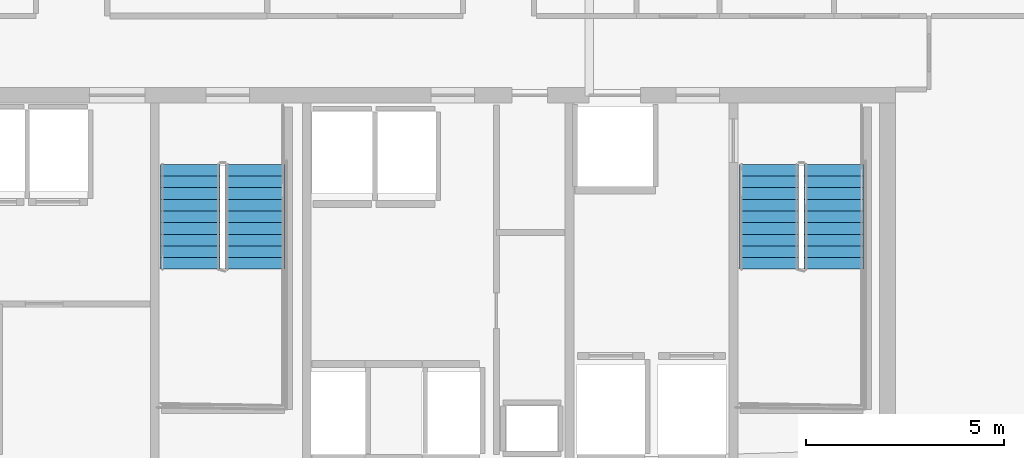
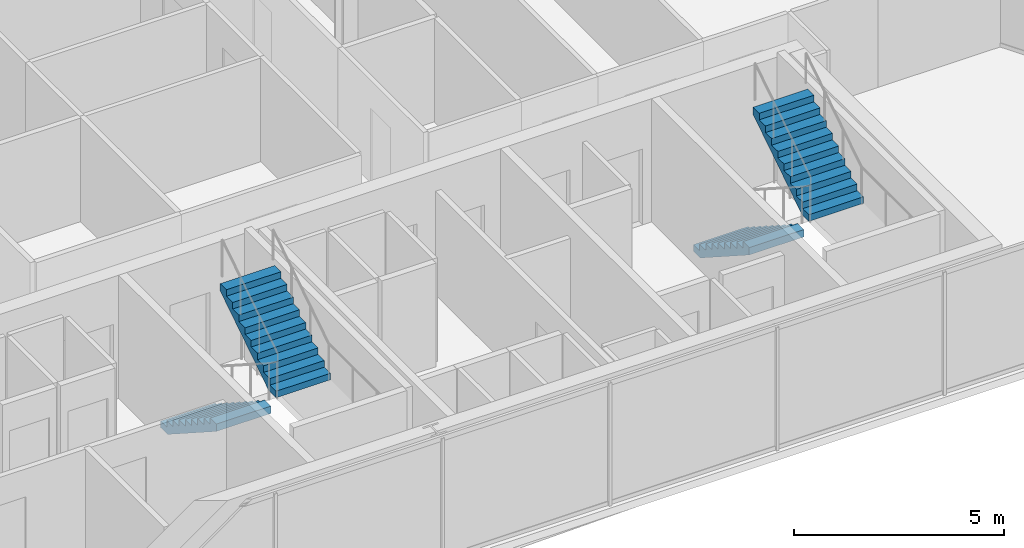
# One storey, part 30 of 33: 4 stair flights, 2 elements without a shape of their own.
"""IFC4 building model written with IfcOpenShell, lengths in metres."""

from ifc_helpers import new_model, si_unit, direction, frame, origin, place, context, subcontext, project, spatial, polyline, outline, extrude, material, type_object, element, aggregate, save


model = new_model("IFC4")

# Units and contexts
model_context = context("Model", 3, precision=1e-05, world=origin(), true_north=direction((0.0, 1.0)))
body_context = subcontext(model_context, "Body", "Model", "MODEL_VIEW")
ifc_project = project(units=[si_unit("LENGTHUNIT", "METRE"), si_unit("AREAUNIT", "SQUARE_METRE"), si_unit("VOLUMEUNIT", "CUBIC_METRE"), si_unit("PLANEANGLEUNIT", "RADIAN"), si_unit("MASSUNIT", "GRAM", prefix="KILO")], contexts=[model_context])

# Site, building, storey
site_placement = place(None, origin())
site = spatial("IfcSite", under=ifc_project, at=site_placement, CompositionType="ELEMENT")
building_placement = place(site_placement, origin())
building = spatial("IfcBuilding", under=site, at=building_placement, Name="Ndaravel Arena Tower", CompositionType="ELEMENT")
storey_placement = place(building_placement, frame((0.0, 0.0, 168.800048828125)))
storey = spatial("IfcBuildingStorey", under=building, at=storey_placement, Name="L40", CompositionType="ELEMENT", Elevation=168.800048828125)

# Stair, stair flights
ifc_material_1 = material(Name="Concrete C40/50", Category="concrete")
stair_type = type_object("IfcStairType", Name="STAIR-CORE-HT", PredefinedType="HALF_TURN_STAIR", material=ifc_material_1)
stair_1_placement = place(storey_placement, origin())
stair_1 = element("IfcStair", 1, at=stair_1_placement, inside=storey, type_object=stair_type, Name="L40 ST-2", PredefinedType="HALF_TURN_STAIR")
ifc_material_2 = material(Name="Concrete C40/50", Category="concrete")
stair_flight_type = type_object("IfcStairFlightType", Name="SFLIGHT-CORE-1680", PredefinedType="STRAIGHT", material=ifc_material_2)
stair_flight_1_placement = place(storey_placement, frame((39.699951171875, 13.25, 0.0), z_axis=(0.0, 0.0, 1.0), x_axis=(0.0, -1.0, 0.0)))
stair_flight_1 = element("IfcStairFlight", 2, at=stair_flight_1_placement, type_object=stair_flight_type, Name="ST-2 flight 1", NumberOfRisers=10, NumberOfTreads=9, PredefinedType="STRAIGHT", RiserHeight=0.19, TreadLength=0.295, context=body_context, shape_type="SweptSolid", body=[
    extrude(outline(polyline([(0.0, 0.0), (0.0, 0.18994140625), (0.294921875, 0.18994140625), (0.294921875, 0.3798828125), (0.590087890625, 0.3798828125), (0.590087890625, 0.570068359375), (0.885009765625, 0.570068359375), (0.885009765625, 0.760009765625), (1.179931640625, 0.760009765625), (1.179931640625, 0.949951171875), (1.47509765625, 0.949951171875), (1.47509765625, 1.139892578125), (1.77001953125, 1.139892578125), (1.77001953125, 1.330078125), (2.06494140625, 1.330078125), (2.06494140625, 1.52001953125), (2.360107421875, 1.52001953125), (2.360107421875, 1.7099609375), (2.655029296875, 1.7099609375), (2.655029296875, 1.89990234375), (2.655029296875, 1.49609375), (0.332275390625, 0.0), (0.0, 0.0)])), frame((0.0, 0.75, 0.0), z_axis=(0.0, -1.0, 0.0), x_axis=(1.0, 0.0, 0.0)), (0.0, 0.0, 1.0), 1.5),
])
stair_flight_2_placement = place(storey_placement, frame((41.340087890625, 10.594970703125, 1.89990234375), z_axis=(0.0, 0.0, 1.0), x_axis=(0.0, 1.0, 0.0)))
stair_flight_2 = element("IfcStairFlight", 3, at=stair_flight_2_placement, type_object=stair_flight_type, Name="ST-2 flight 2", NumberOfRisers=10, NumberOfTreads=9, PredefinedType="STRAIGHT", RiserHeight=0.19, TreadLength=0.295, context=body_context, shape_type="SweptSolid", body=[
    extrude(outline(polyline([(0.0, 0.0), (0.0, 0.18994140625), (0.294921875, 0.18994140625), (0.294921875, 0.3798828125), (0.590087890625, 0.3798828125), (0.590087890625, 0.570068359375), (0.885009765625, 0.570068359375), (0.885009765625, 0.760009765625), (1.179931640625, 0.760009765625), (1.179931640625, 0.949951171875), (1.47509765625, 0.949951171875), (1.47509765625, 1.139892578125), (1.77001953125, 1.139892578125), (1.77001953125, 1.330078125), (2.06494140625, 1.330078125), (2.06494140625, 1.52001953125), (2.360107421875, 1.52001953125), (2.360107421875, 1.7099609375), (2.655029296875, 1.7099609375), (2.655029296875, 1.89990234375), (2.655029296875, 1.49609375), (0.332275390625, 0.0), (0.0, 0.0)])), frame((0.0, 0.75, 0.0), z_axis=(0.0, -1.0, 0.0), x_axis=(1.0, 0.0, 0.0)), (0.0, 0.0, 1.0), 1.5),
])
aggregate(stair_1, [stair_flight_1, stair_flight_2])

stair_2_placement = place(storey_placement, origin())
stair_2 = element("IfcStair", 4, at=stair_2_placement, inside=storey, type_object=stair_type, Name="L40 ST-3", PredefinedType="HALF_TURN_STAIR")
stair_flight_3_placement = place(storey_placement, frame((54.35009765625, 13.25, 0.0), z_axis=(0.0, 0.0, 1.0), x_axis=(0.0, -1.0, 0.0)))
stair_flight_3 = element("IfcStairFlight", 5, at=stair_flight_3_placement, type_object=stair_flight_type, Name="ST-3 flight 1", NumberOfRisers=10, NumberOfTreads=9, PredefinedType="STRAIGHT", RiserHeight=0.19, TreadLength=0.295, context=body_context, shape_type="SweptSolid", body=[
    extrude(outline(polyline([(0.0, 0.0), (0.0, 0.18994140625), (0.294921875, 0.18994140625), (0.294921875, 0.3798828125), (0.590087890625, 0.3798828125), (0.590087890625, 0.570068359375), (0.885009765625, 0.570068359375), (0.885009765625, 0.760009765625), (1.179931640625, 0.760009765625), (1.179931640625, 0.949951171875), (1.47509765625, 0.949951171875), (1.47509765625, 1.139892578125), (1.77001953125, 1.139892578125), (1.77001953125, 1.330078125), (2.06494140625, 1.330078125), (2.06494140625, 1.52001953125), (2.360107421875, 1.52001953125), (2.360107421875, 1.7099609375), (2.655029296875, 1.7099609375), (2.655029296875, 1.89990234375), (2.655029296875, 1.49609375), (0.332275390625, 0.0), (0.0, 0.0)])), frame((0.0, 0.75, 0.0), z_axis=(0.0, -1.0, 0.0), x_axis=(1.0, 0.0, 0.0)), (0.0, 0.0, 1.0), 1.5),
])
stair_flight_4_placement = place(storey_placement, frame((55.989990234375, 10.594970703125, 1.89990234375), z_axis=(0.0, 0.0, 1.0), x_axis=(0.0, 1.0, 0.0)))
stair_flight_4 = element("IfcStairFlight", 6, at=stair_flight_4_placement, type_object=stair_flight_type, Name="ST-3 flight 2", NumberOfRisers=10, NumberOfTreads=9, PredefinedType="STRAIGHT", RiserHeight=0.19, TreadLength=0.295, context=body_context, shape_type="SweptSolid", body=[
    extrude(outline(polyline([(0.0, 0.0), (0.0, 0.18994140625), (0.294921875, 0.18994140625), (0.294921875, 0.3798828125), (0.590087890625, 0.3798828125), (0.590087890625, 0.570068359375), (0.885009765625, 0.570068359375), (0.885009765625, 0.760009765625), (1.179931640625, 0.760009765625), (1.179931640625, 0.949951171875), (1.47509765625, 0.949951171875), (1.47509765625, 1.139892578125), (1.77001953125, 1.139892578125), (1.77001953125, 1.330078125), (2.06494140625, 1.330078125), (2.06494140625, 1.52001953125), (2.360107421875, 1.52001953125), (2.360107421875, 1.7099609375), (2.655029296875, 1.7099609375), (2.655029296875, 1.89990234375), (2.655029296875, 1.49609375), (0.332275390625, 0.0), (0.0, 0.0)])), frame((0.0, 0.75, 0.0), z_axis=(0.0, -1.0, 0.0), x_axis=(1.0, 0.0, 0.0)), (0.0, 0.0, 1.0), 1.5),
])
aggregate(stair_2, [stair_flight_3, stair_flight_4])

save(model, "model.ifc")
